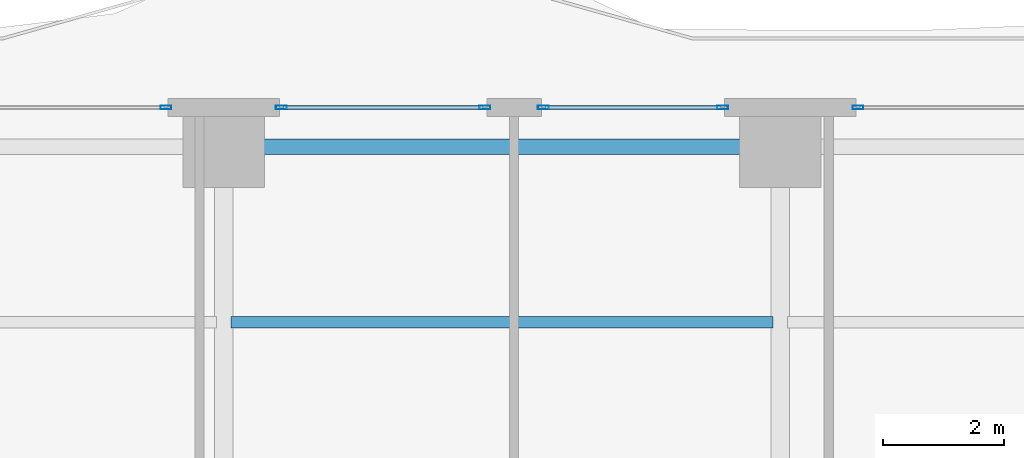
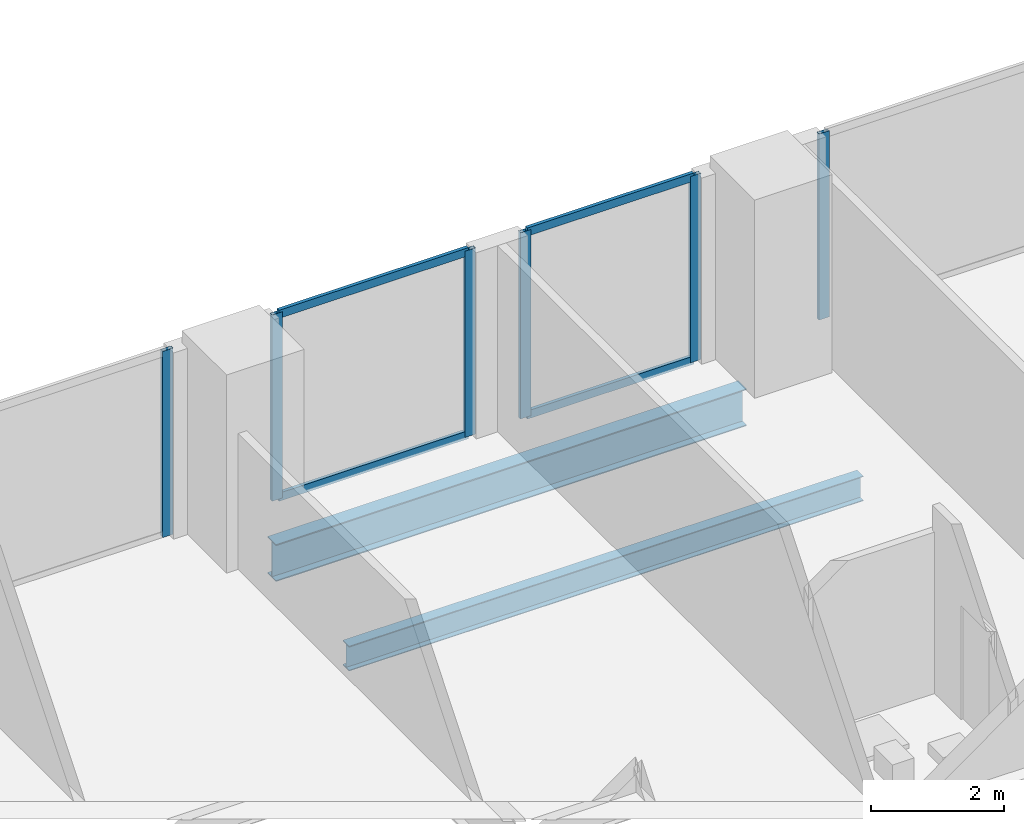
# One storey, part 17 of 28: 10 members, 2 beams, 4 elements without a shape of their own.
"""IFC4 building model written with IfcOpenShell, lengths in metres."""

from ifc_helpers import new_model, si_unit, direction, frame, origin, origin_2d, place, context, subcontext, project, spatial, hollow_rectangle, i_section, extrude, material, layer, layer_set, material_profile, profile_set, type_object, element, aggregate, save


model = new_model("IFC4")

# Units and contexts
model_context = context("Model", 3, precision=1e-05, world=origin(), true_north=direction((0.0, 1.0)))
body_context = subcontext(model_context, "Body", "Model", "MODEL_VIEW")
ifc_project = project(units=[si_unit("LENGTHUNIT", "METRE"), si_unit("AREAUNIT", "SQUARE_METRE"), si_unit("VOLUMEUNIT", "CUBIC_METRE"), si_unit("PLANEANGLEUNIT", "RADIAN"), si_unit("MASSUNIT", "GRAM", prefix="KILO")], contexts=[model_context])

# Site, building, storey
site_placement = place(None, origin())
site = spatial("IfcSite", under=ifc_project, at=site_placement, CompositionType="ELEMENT")
building_placement = place(site_placement, origin())
building = spatial("IfcBuilding", under=site, at=building_placement, Name="Zuhayl Quay Hotel", CompositionType="ELEMENT")
storey_placement = place(building_placement, frame((0.0, 0.0, 110.25)))
storey = spatial("IfcBuildingStorey", under=building, at=storey_placement, Name="L27", CompositionType="ELEMENT", Elevation=110.25)

# Beams
ifc_material_1 = material(Name="Steel ASTM A992 Grade 50", Category="steel")
ifc_material_profile_1 = material_profile(ifc_material_1, i_section(OverallWidth=0.25390625, OverallDepth=0.68310546875, WebThickness=0.012451171875, FlangeThickness=0.018798828125, at=origin_2d()), Name="W27X94")
ifc_profile_set_1 = profile_set([ifc_material_profile_1], Name="Steel ASTM A992 Grade 50")
beam_type_1 = type_object("IfcBeamType", Name="BM_B2_W27X94", PredefinedType="BEAM", material=ifc_profile_set_1)
beam_1_placement = place(storey_placement, frame((4.10009765625, 27.75, -0.5615234375), z_axis=(-1.0, 0.0, 0.0), x_axis=(0.0, -1.0, 0.0)))
element("IfcBeam", 1, at=beam_1_placement, inside=storey, type_object=beam_type_1, Name="L27 Floor Beam RG_L27_08", PredefinedType="BEAM", context=body_context, shape_type="SweptSolid", body=[
    extrude(i_section(OverallWidth=0.25390625, OverallDepth=0.68310546875, WebThickness=0.012451171875, FlangeThickness=0.018798828125, at=origin_2d()), origin(), (0.0, 0.0, 1.0), 8.2001953125),
])
ifc_material_profile_2 = material_profile(ifc_material_1, i_section(OverallWidth=0.18994140625, OverallDepth=0.45703125, WebThickness=0.009033203125, FlangeThickness=0.014404296875, at=origin_2d()), Name="W18X50")
ifc_profile_set_2 = profile_set([ifc_material_profile_2], Name="Steel ASTM A992 Grade 50")
beam_type_2 = type_object("IfcBeamType", Name="BM_J2_W18X50", PredefinedType="JOIST", material=ifc_profile_set_2)
beam_2_placement = place(storey_placement, frame((-4.48095703125, 24.85009765625, -0.448486328125), z_axis=(1.0, 0.0, 0.0), x_axis=(0.0, 1.0, 0.0)))
element("IfcBeam", 2, at=beam_2_placement, inside=storey, type_object=beam_type_2, Name="L27 Floor Beam FJ_L27_4_2", PredefinedType="JOIST", context=body_context, shape_type="SweptSolid", body=[
    extrude(i_section(OverallWidth=0.18994140625, OverallDepth=0.45703125, WebThickness=0.009033203125, FlangeThickness=0.014404296875, at=origin_2d()), origin(), (0.0, 0.0, 1.0), 8.9619140625),
])

# Curtain wall, member
ifc_material_2 = material(Name="Anodised Aluminium 6063-T6", Category="aluminium")
ifc_layer = layer(ifc_material_2, 0.179931640625, Name="Anodised Aluminium 6063-T6", Category="aluminium")
ifc_layer_set = layer_set([ifc_layer], Name="Anodised Aluminium 6063-T6")
curtain_wall_type = type_object("IfcCurtainWallType", Name="CW_SYS_Z2", PredefinedType="USERDEFINED", material=ifc_layer_set)
curtain_wall_1_placement = place(storey_placement, origin())
curtain_wall_1 = element("IfcCurtainWall", 3, at=curtain_wall_1_placement, inside=storey, type_object=curtain_wall_type, Name="L27 Curtain Wall ENV_L27_N_CW3", ObjectType="UNITISED CURTAIN WALL", PredefinedType="USERDEFINED")
ifc_material_3 = material(Name="Black-anodised aluminium 6063-T6", Category="aluminium")
ifc_material_profile_3 = material_profile(ifc_material_3, hollow_rectangle(XDim=0.06494140625, YDim=0.179931640625, WallThickness=0.00341796875, at=origin_2d()), Name="ALU180X65")
ifc_profile_set_3 = profile_set([ifc_material_profile_3], Name="Black-anodised aluminium 6063-T6")
member_type_1 = type_object("IfcMemberType", Name="MB_CW_MUL_180", PredefinedType="MULLION", material=ifc_profile_set_3)
member_1_placement = place(storey_placement, frame((-5.552490234375, 28.39990234375, 0.0), z_axis=(0.0, 0.0, 1.0), x_axis=(0.0, 1.0, 0.0)))
member_1 = element("IfcMember", 4, at=member_1_placement, type_object=member_type_1, Name="CW-Z2 mullion 2", PredefinedType="MULLION", context=body_context, shape_type="SweptSolid", body=[
    extrude(hollow_rectangle(XDim=0.06494140625, YDim=0.179931640625, WallThickness=0.00341796875, at=origin_2d()), origin(), (0.0, 0.0, 1.0), 3.429931640625),
])
aggregate(curtain_wall_1, [member_1])

# Curtain wall, members
curtain_wall_2_placement = place(storey_placement, origin())
curtain_wall_2 = element("IfcCurtainWall", 5, at=curtain_wall_2_placement, inside=storey, type_object=curtain_wall_type, Name="L27 Curtain Wall ENV_L27_N_CW4", ObjectType="UNITISED CURTAIN WALL", PredefinedType="USERDEFINED")
member_2_placement = place(storey_placement, frame((-3.6474609375, 28.39990234375, 0.0), z_axis=(0.0, 0.0, 1.0), x_axis=(0.0, 1.0, 0.0)))
member_2 = element("IfcMember", 6, at=member_2_placement, type_object=member_type_1, Name="CW-Z2 mullion 1", PredefinedType="MULLION", context=body_context, shape_type="SweptSolid", body=[
    extrude(hollow_rectangle(XDim=0.06494140625, YDim=0.179931640625, WallThickness=0.00341796875, at=origin_2d()), origin(), (0.0, 0.0, 1.0), 3.429931640625),
])
member_3_placement = place(storey_placement, frame((-0.282470703125, 28.39990234375, 0.0), z_axis=(0.0, 0.0, 1.0), x_axis=(0.0, 1.0, 0.0)))
member_3 = element("IfcMember", 7, at=member_3_placement, type_object=member_type_1, Name="CW-Z2 mullion 2", PredefinedType="MULLION", context=body_context, shape_type="SweptSolid", body=[
    extrude(hollow_rectangle(XDim=0.06494140625, YDim=0.179931640625, WallThickness=0.00341796875, at=origin_2d()), origin(), (0.0, 0.0, 1.0), 3.429931640625),
])

curtain_wall_3_placement = place(storey_placement, origin())
curtain_wall_3 = element("IfcCurtainWall", 8, at=curtain_wall_3_placement, inside=storey, type_object=curtain_wall_type, Name="L27 Curtain Wall ENV_L27_N_CW5", ObjectType="UNITISED CURTAIN WALL", PredefinedType="USERDEFINED")
member_4_placement = place(storey_placement, frame((0.6826171875, 28.39990234375, 0.0), z_axis=(0.0, 0.0, 1.0), x_axis=(0.0, 1.0, 0.0)))
member_4 = element("IfcMember", 9, at=member_4_placement, type_object=member_type_1, Name="CW-Z2 mullion 1", PredefinedType="MULLION", context=body_context, shape_type="SweptSolid", body=[
    extrude(hollow_rectangle(XDim=0.06494140625, YDim=0.179931640625, WallThickness=0.00341796875, at=origin_2d()), origin(), (0.0, 0.0, 1.0), 3.429931640625),
])
member_5_placement = place(storey_placement, frame((3.6474609375, 28.39990234375, 0.0), z_axis=(0.0, 0.0, 1.0), x_axis=(0.0, 1.0, 0.0)))
member_5 = element("IfcMember", 10, at=member_5_placement, type_object=member_type_1, Name="CW-Z2 mullion 2", PredefinedType="MULLION", context=body_context, shape_type="SweptSolid", body=[
    extrude(hollow_rectangle(XDim=0.06494140625, YDim=0.179931640625, WallThickness=0.00341796875, at=origin_2d()), origin(), (0.0, 0.0, 1.0), 3.429931640625),
])

# Curtain wall, member
curtain_wall_4_placement = place(storey_placement, origin())
curtain_wall_4 = element("IfcCurtainWall", 11, at=curtain_wall_4_placement, inside=storey, type_object=curtain_wall_type, Name="L27 Curtain Wall ENV_L27_N_CW6", ObjectType="UNITISED CURTAIN WALL", PredefinedType="USERDEFINED")
member_6_placement = place(storey_placement, frame((5.882568359375, 28.39990234375, 0.0), z_axis=(0.0, 0.0, 1.0), x_axis=(0.0, 1.0, 0.0)))
member_6 = element("IfcMember", 12, at=member_6_placement, type_object=member_type_1, Name="CW-Z2 mullion 1", PredefinedType="MULLION", context=body_context, shape_type="SweptSolid", body=[
    extrude(hollow_rectangle(XDim=0.06494140625, YDim=0.179931640625, WallThickness=0.00341796875, at=origin_2d()), origin(), (0.0, 0.0, 1.0), 3.429931640625),
])
aggregate(curtain_wall_4, [member_6])

# Member
ifc_material_profile_4 = material_profile(ifc_material_3, hollow_rectangle(XDim=0.06005859375, YDim=0.14990234375, WallThickness=0.00341796875, at=origin_2d()), Name="ALU150X60")
ifc_profile_set_4 = profile_set([ifc_material_profile_4], Name="Black-anodised aluminium 6063-T6")
member_type_2 = type_object("IfcMemberType", Name="MB_CW_TRN_150", PredefinedType="USERDEFINED", material=ifc_profile_set_4)
member_7_placement = place(storey_placement, frame((-3.614990234375, 28.39990234375, 0.030029296875), z_axis=(1.0, 0.0, 0.0), x_axis=(0.0, 1.0, 0.0)))
member_7 = element("IfcMember", 13, at=member_7_placement, type_object=member_type_2, Name="CW-Z2 transom 1.1", ObjectType="TRANSOM", PredefinedType="USERDEFINED", context=body_context, shape_type="SweptSolid", body=[
    extrude(hollow_rectangle(XDim=0.06005859375, YDim=0.14990234375, WallThickness=0.00341796875, at=origin_2d()), origin(), (0.0, 0.0, 1.0), 3.300048828125),
])

member_8_placement = place(storey_placement, frame((-3.614990234375, 28.39990234375, 3.39990234375), z_axis=(1.0, 0.0, 0.0), x_axis=(0.0, 1.0, 0.0)))
member_8 = element("IfcMember", 14, at=member_8_placement, type_object=member_type_2, Name="CW-Z2 transom 1.2", ObjectType="TRANSOM", PredefinedType="USERDEFINED", context=body_context, shape_type="SweptSolid", body=[
    extrude(hollow_rectangle(XDim=0.06005859375, YDim=0.14990234375, WallThickness=0.00341796875, at=origin_2d()), origin(), (0.0, 0.0, 1.0), 3.300048828125),
])

aggregate(curtain_wall_2, [member_2, member_3, member_7, member_8])

member_9_placement = place(storey_placement, frame((0.715087890625, 28.39990234375, 0.030029296875), z_axis=(1.0, 0.0, 0.0), x_axis=(0.0, 1.0, 0.0)))
member_9 = element("IfcMember", 15, at=member_9_placement, type_object=member_type_2, Name="CW-Z2 transom 1.1", ObjectType="TRANSOM", PredefinedType="USERDEFINED", context=body_context, shape_type="SweptSolid", body=[
    extrude(hollow_rectangle(XDim=0.06005859375, YDim=0.14990234375, WallThickness=0.00341796875, at=origin_2d()), origin(), (0.0, 0.0, 1.0), 2.89990234375),
])

member_10_placement = place(storey_placement, frame((0.715087890625, 28.39990234375, 3.39990234375), z_axis=(1.0, 0.0, 0.0), x_axis=(0.0, 1.0, 0.0)))
member_10 = element("IfcMember", 16, at=member_10_placement, type_object=member_type_2, Name="CW-Z2 transom 1.2", ObjectType="TRANSOM", PredefinedType="USERDEFINED", context=body_context, shape_type="SweptSolid", body=[
    extrude(hollow_rectangle(XDim=0.06005859375, YDim=0.14990234375, WallThickness=0.00341796875, at=origin_2d()), origin(), (0.0, 0.0, 1.0), 2.89990234375),
])

aggregate(curtain_wall_3, [member_4, member_5, member_9, member_10])

save(model, "model.ifc")
